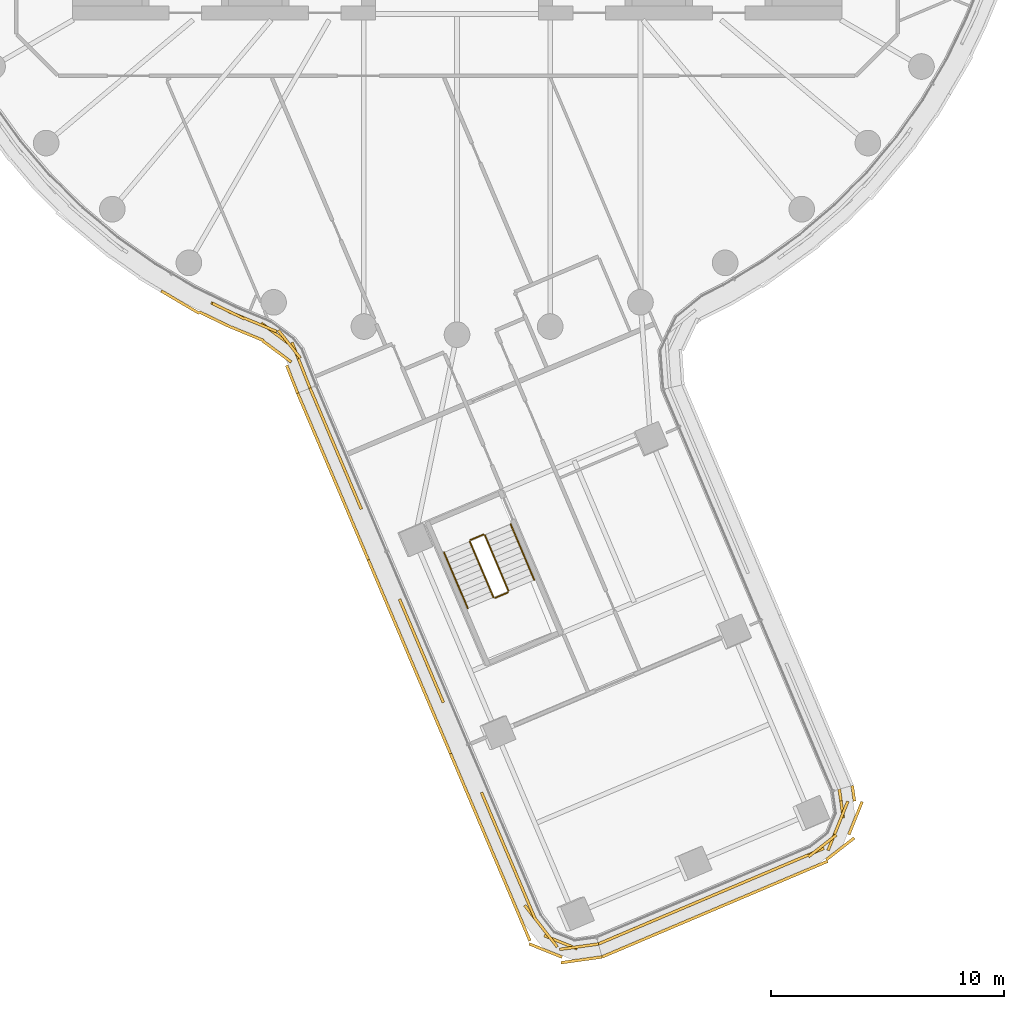
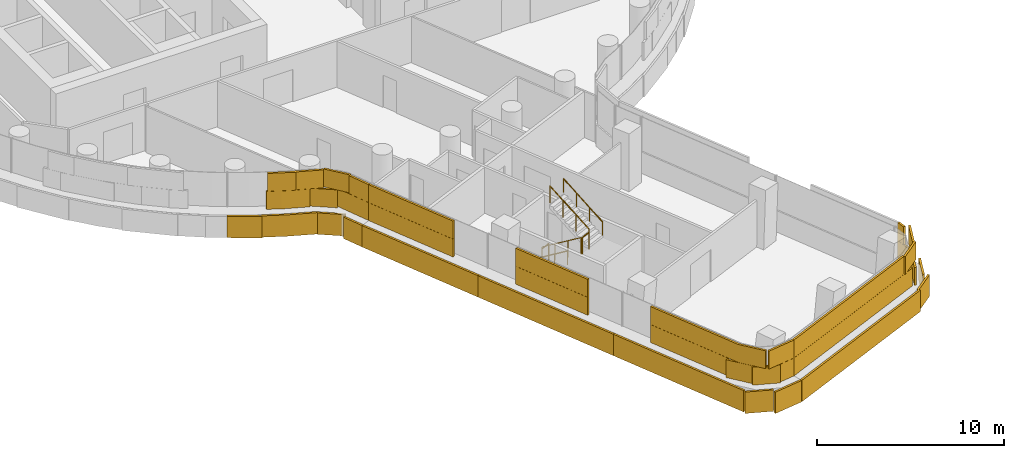
# One storey, part 28 of 35: 6 railings, 5 coverings.
"""IFC4 building model written with IfcOpenShell, lengths in metres."""

import ifcopenshell
import ifcopenshell.guid

model = None  # the IFC model being written
_history = None  # IfcOwnerHistory: only IFC2X3 demands one
_inside = {}  # id of a spatial element -> (the spatial element, [elements in it])
_under = {}  # id of a project, library or spatial element -> (it, [spatial elements below it])
_declared = {}  # id of a project -> (the project, [libraries it declares])
_typed = {}  # id of a type object -> (the type object, [elements of that type])
_made_of = {}  # id of a material, layer set ... -> (it, [elements and type objects made of it])


def new_model(schema):
    """Start an empty IFC model of exactly this schema.

    Asked for "IFC4X3", IfcOpenShell would pick the latest addendum, in which some entities
    have other attributes; the version numbers below select the first issue.
    IFC2X3 requires an IfcOwnerHistory on every rooted entity: one is made here for all.
    """
    global model, _history
    if schema == "IFC4X3":
        model = ifcopenshell.file(schema_version=(4, 3, 0, 0))
    else:
        model = ifcopenshell.file(schema=schema)
    _inside.clear()
    _under.clear()
    _declared.clear()
    _typed.clear()
    _made_of.clear()
    _history = None
    if model.schema == "IFC2X3":
        org = make("IfcOrganization", Name="unknown")
        user = make(
            "IfcPersonAndOrganization",
            ThePerson=make("IfcPerson", FamilyName="unknown"),
            TheOrganization=org,
        )
        app = make(
            "IfcApplication",
            ApplicationDeveloper=org,
            Version="unknown",
            ApplicationFullName="unknown",
            ApplicationIdentifier="unknown",
        )
        _history = make(
            "IfcOwnerHistory",
            OwningUser=user,
            OwningApplication=app,
            ChangeAction="ADDED",
            CreationDate=0,
        )
    return model


def make(cls, **values):
    """One entity of the class cls with the attributes given. An attribute that is None is left unset."""
    return model.create_entity(
        cls, **{name: value for name, value in values.items() if value is not None}
    )


def rooted(cls, **values):
    """An entity with a GlobalId (a new one), such as an element, a storey or a relation."""
    return make(cls, GlobalId=ifcopenshell.guid.new(), OwnerHistory=_history, **values)


def si_unit(unit_type, name, prefix=None):
    """IfcSIUnit, for example si_unit("LENGTHUNIT", "METRE", prefix="MILLI")."""
    return make("IfcSIUnit", UnitType=unit_type, Prefix=prefix, Name=name)


def assignment(units):
    """IfcUnitAssignment: the units of a project."""
    return None if units is None else make("IfcUnitAssignment", Units=units)


def point(xyz):
    """IfcCartesianPoint."""
    return None if xyz is None else make("IfcCartesianPoint", Coordinates=xyz)


def direction(xyz):
    """IfcDirection."""
    return None if xyz is None else make("IfcDirection", DirectionRatios=xyz)


def frame(location, z_axis=None, x_axis=None):
    """IfcAxis2Placement3D, a coordinate frame: its origin and axes. An axis left out is left unset."""
    return make(
        "IfcAxis2Placement3D",
        Location=point(location),
        Axis=direction(z_axis),
        RefDirection=direction(x_axis),
    )


def frame_2d(location, x_axis=None):
    """IfcAxis2Placement2D, a coordinate frame in the plane: its origin and x axis."""
    return make(
        "IfcAxis2Placement2D", Location=point(location), RefDirection=direction(x_axis)
    )


def origin():
    """The frame at (0, 0, 0) with its axes left unset."""
    return frame((0.0, 0.0, 0.0))


def origin_2d():
    """The frame at (0, 0) in the plane with its x axis left unset."""
    return frame_2d((0.0, 0.0))


def place(relative_to, where):
    """IfcLocalPlacement: puts the frame where relative to a parent placement (None: the world)."""
    return make(
        "IfcLocalPlacement", PlacementRelTo=relative_to, RelativePlacement=where
    )


def context(
    kind, dimensions, precision=None, world=None, true_north=None, identifier=None
):
    """IfcGeometricRepresentationContext, for example the 3D "Model" context."""
    return make(
        "IfcGeometricRepresentationContext",
        ContextIdentifier=identifier,
        ContextType=kind,
        CoordinateSpaceDimension=dimensions,
        Precision=precision,
        WorldCoordinateSystem=world,
        TrueNorth=true_north,
    )


def subcontext(parent, identifier, kind, view, scale=None):
    """IfcGeometricRepresentationSubContext, for example "Body" below "Model"."""
    return make(
        "IfcGeometricRepresentationSubContext",
        ContextIdentifier=identifier,
        ContextType=kind,
        ParentContext=parent,
        TargetScale=scale,
        TargetView=view,
    )


def project(units=None, contexts=None):
    """IfcProject with its units and contexts."""
    return rooted(
        "IfcProject",
        Name="project",
        RepresentationContexts=contexts,
        UnitsInContext=assignment(units),
    )


def spatial(cls, under=None, at=None, **own):
    """A site, building, storey or space (cls), placed at a placement, below another one or the project."""
    s = rooted(cls, ObjectPlacement=at, **own)
    if under is not None:
        _under.setdefault(under.id(), (under, []))[1].append(s)
    return s


def profile(cls, at=None, kind="AREA", **sizes):
    """A parametric profile (cls). Its sizes go by their IFC names, for example OverallWidth=200.0."""
    return make(cls, ProfileType=kind, Position=at, **sizes)


def rectangle(**sizes):
    """IfcRectangleProfileDef."""
    return profile("IfcRectangleProfileDef", **sizes)


def circle(**sizes):
    """IfcCircleProfileDef."""
    return profile("IfcCircleProfileDef", **sizes)


def extrude(swept, where, along, depth):
    """IfcExtrudedAreaSolid: the profile swept, set in the frame where, extruded along a direction by depth."""
    return make(
        "IfcExtrudedAreaSolid",
        SweptArea=swept,
        Position=where,
        ExtrudedDirection=direction(along),
        Depth=depth,
    )


def shape(context_of_items, identifier, shape_type, items):
    """IfcShapeRepresentation: the items that make up one representation, for example the "Body"."""
    return make(
        "IfcShapeRepresentation",
        ContextOfItems=context_of_items,
        RepresentationIdentifier=identifier,
        RepresentationType=shape_type,
        Items=items,
    )


def material(Name=None, Category=None):
    """IfcMaterial."""
    return make("IfcMaterial", Name=Name, Category=Category)


def layer(
    of_material, thickness, ventilated=None, Name=None, Category=None, Priority=None
):
    """IfcMaterialLayer: one layer of a wall or slab, of a material (None: an air gap)."""
    return make(
        "IfcMaterialLayer",
        Material=of_material,
        LayerThickness=thickness,
        IsVentilated=ventilated,
        Name=Name,
        Category=Category,
        Priority=Priority,
    )


def layer_set(layers, Name=None):
    """IfcMaterialLayerSet."""
    return make("IfcMaterialLayerSet", MaterialLayers=layers, LayerSetName=Name)


def made_of(thing, what):
    """Note that an element or type object is made of a material, layer set ...; save() writes the relation."""
    if what is not None:
        _made_of.setdefault(what.id(), (what, []))[1].append(thing)
    return thing


def type_object(cls, material=None, **own):
    """A type object (cls), such as IfcWallType, which elements share."""
    return made_of(rooted(cls, **own), material)


def element(
    cls,
    number,
    at=None,
    inside=None,
    cuts=None,
    type_object=None,
    material=None,
    context=None,
    identifier="Body",
    shape_type=None,
    held_by="IfcProductDefinitionShape",
    body=None,
    shapes=None,
    **own,
):
    """One element of the class cls, such as IfcWall. Its Tag is "e" and its number.

    at: its placement. inside: the storey or other place that contains it. cuts: it is an
    opening in that element (IfcRelVoidsElement). A single representation is given by context,
    identifier, shape_type and body (its items); several are given by shapes. held_by: the class
    of the entity that holds the representations. save() writes the other relations.
    """
    e = rooted(cls, Tag="e%d" % number, ObjectPlacement=at, **own)
    if body is not None:
        shapes = [shape(context, identifier, shape_type, body)]
    if shapes is not None:
        e.Representation = make(held_by, Representations=shapes)
    if inside is not None:
        _inside.setdefault(inside.id(), (inside, []))[1].append(e)
    if cuts is not None:
        rooted(
            "IfcRelVoidsElement", RelatingBuildingElement=cuts, RelatedOpeningElement=e
        )
    if type_object is not None:
        _typed.setdefault(type_object.id(), (type_object, []))[1].append(e)
    return made_of(e, material)


def aggregate(whole, parts):
    """IfcRelAggregates: a whole, such as a stair, and the parts it consists of."""
    return rooted("IfcRelAggregates", RelatingObject=whole, RelatedObjects=parts)


def save(model, path):
    """Write the relations noted so far, then the file.

    IfcRelAggregates (storeys below a building ...), IfcRelContainedInSpatialStructure (elements
    in a storey), IfcRelDefinesByType, IfcRelAssociatesMaterial and IfcRelDeclares: one each for
    every whole, place, type object, material and project.
    """
    for whole, parts in _under.values():
        aggregate(whole, parts)
    for where, things in _inside.values():
        rooted(
            "IfcRelContainedInSpatialStructure",
            RelatedElements=things,
            RelatingStructure=where,
        )
    for kind, things in _typed.values():
        rooted("IfcRelDefinesByType", RelatedObjects=things, RelatingType=kind)
    for what, things in _made_of.values():
        rooted("IfcRelAssociatesMaterial", RelatedObjects=things, RelatingMaterial=what)
    for by, libraries in _declared.values():
        rooted("IfcRelDeclares", RelatingContext=by, RelatedDefinitions=libraries)
    model.write(path)


model = new_model("IFC4")

# Units and contexts
model_context = context("Model", 3, precision=1e-05, world=origin(), true_north=direction((0.0, 1.0)))
body_context = subcontext(model_context, "Body", "Model", "MODEL_VIEW")
ifc_project = project(units=[si_unit("LENGTHUNIT", "METRE"), si_unit("AREAUNIT", "SQUARE_METRE"), si_unit("VOLUMEUNIT", "CUBIC_METRE"), si_unit("PLANEANGLEUNIT", "RADIAN"), si_unit("MASSUNIT", "GRAM", prefix="KILO")], contexts=[model_context])

# Site, building, storey
site_placement = place(None, origin())
site = spatial("IfcSite", under=ifc_project, at=site_placement, CompositionType="ELEMENT")
building_placement = place(site_placement, origin())
building = spatial("IfcBuilding", under=site, at=building_placement, Name="Tamarind Cross Interchange Tower", CompositionType="ELEMENT")
storey_placement = place(building_placement, frame((0.0, 0.0, 117.25)))
storey = spatial("IfcBuildingStorey", under=building, at=storey_placement, Name="L28", CompositionType="ELEMENT", Elevation=117.25)

# Railings
ifc_material_1 = material(Name="Stair guard")
railing_type_1 = type_object("IfcRailingType", Name="Stair guard", PredefinedType="GUARDRAIL", material=ifc_material_1)
railing_1_placement = place(storey_placement, frame((0.547607421875, -31.869873046875, 0.17041015625)))
element("IfcRailing", 1, at=railing_1_placement, inside=storey, type_object=railing_type_1, Name="L28 ST6 stair guard 1", PredefinedType="GUARDRAIL", context=body_context, shape_type="SweptSolid", body=[
    extrude(circle(Radius=0.02392578125, at=origin_2d()), frame((0.0, 0.0, 1.076171875), z_axis=(0.326596606657, -0.769885340625, 0.548280237479), x_axis=(0.920590988888, 0.390528143899, 0.0)), (0.0, 0.0, 1.0), 3.10888671875),
    extrude(circle(Radius=0.02099609375, at=origin_2d()), origin(), (0.0, 0.0, 1.0), 1.052001953125),
    extrude(circle(Radius=0.02099609375, at=origin_2d()), frame((0.33837890625, -0.7978515625, 0.568115234375)), (0.0, 0.0, 1.0), 1.052001953125),
    extrude(circle(Radius=0.02099609375, at=origin_2d()), frame((0.677001953125, -1.595703125, 1.136474609375)), (0.0, 0.0, 1.0), 1.052001953125),
    extrude(circle(Radius=0.02099609375, at=origin_2d()), frame((1.015380859375, -2.3935546875, 1.70458984375)), (0.0, 0.0, 1.0), 1.052001953125),
])
railing_2_placement = place(storey_placement, frame((1.62841796875, -34.289794921875, 1.875)))
element("IfcRailing", 2, at=railing_2_placement, inside=storey, type_object=railing_type_1, Name="L28 ST6 stair guard 2", PredefinedType="GUARDRAIL", context=body_context, shape_type="SweptSolid", body=[
    extrude(circle(Radius=0.02392578125, at=origin_2d()), frame((0.0, 0.0, 1.076171875), z_axis=(0.920736856431, 0.390184111939, 0.0), x_axis=(-0.390184111939, 0.920736856431, 0.0)), (0.0, 0.0, 1.0), 0.60009765625),
    extrude(circle(Radius=0.02099609375, at=origin_2d()), origin(), (0.0, 0.0, 1.0), 1.052001953125),
    extrude(circle(Radius=0.02099609375, at=origin_2d()), frame((0.552490234375, 0.234130859375, 0.0)), (0.0, 0.0, 1.0), 1.052001953125),
])
railing_3_placement = place(storey_placement, frame((2.207275390625, -33.989990234375, 2.04541015625)))
element("IfcRailing", 3, at=railing_3_placement, inside=storey, type_object=railing_type_1, Name="L28 ST6 stair guard 3", PredefinedType="GUARDRAIL", context=body_context, shape_type="SweptSolid", body=[
    extrude(circle(Radius=0.02392578125, at=origin_2d()), frame((0.0, 0.0, 1.076171875), z_axis=(-0.326526452463, 0.769905084162, 0.548294298003), x_axis=(-0.920624745135, -0.390448560819, 0.0)), (0.0, 0.0, 1.0), 3.10888671875),
    extrude(circle(Radius=0.02099609375, at=origin_2d()), origin(), (0.0, 0.0, 1.0), 1.052001953125),
    extrude(circle(Radius=0.02099609375, at=origin_2d()), frame((-0.33837890625, 0.7978515625, 0.568115234375)), (0.0, 0.0, 1.0), 1.052001953125),
    extrude(circle(Radius=0.02099609375, at=origin_2d()), frame((-0.6767578125, 1.595703125, 1.136474609375)), (0.0, 0.0, 1.0), 1.052001953125),
    extrude(circle(Radius=0.02099609375, at=origin_2d()), frame((-1.01513671875, 2.3935546875, 1.70458984375)), (0.0, 0.0, 1.0), 1.052001953125),
])
railing_4_placement = place(storey_placement, frame((0.57421875, -31.80419921875, 0.0)))
element("IfcRailing", 4, at=railing_4_placement, inside=storey, type_object=railing_type_1, Name="L28 ST6 stair guard 4", PredefinedType="GUARDRAIL", context=body_context, shape_type="SweptSolid", body=[
    extrude(circle(Radius=0.02392578125, at=origin_2d()), frame((0.0, 0.0, 1.076171875), z_axis=(0.920528568532, 0.390675254549, 0.0), x_axis=(-0.390675254549, 0.920528568532, 0.0)), (0.0, 0.0, 1.0), 0.599853515625),
    extrude(circle(Radius=0.02099609375, at=origin_2d()), origin(), (0.0, 0.0, 1.0), 1.052001953125),
    extrude(circle(Radius=0.02099609375, at=origin_2d()), frame((0.55224609375, 0.234375, 0.0)), (0.0, 0.0, 1.0), 1.052001953125),
])
ifc_material_2 = material(Name="Stair handrail")
railing_type_2 = type_object("IfcRailingType", Name="Stair handrail", PredefinedType="HANDRAIL", material=ifc_material_2)
railing_5_placement = place(storey_placement, frame((-0.55712890625, -32.33837890625, 0.17041015625)))
element("IfcRailing", 5, at=railing_5_placement, inside=storey, type_object=railing_type_2, Name="L28 ST6 stair handrail 1", PredefinedType="HANDRAIL", context=body_context, shape_type="SweptSolid", body=[
    extrude(circle(Radius=0.02392578125, at=origin_2d()), frame((0.0, 0.0, 0.8759765625), z_axis=(0.326596606657, -0.769885340625, 0.548280237479), x_axis=(0.920590988888, 0.390528143899, 0.0)), (0.0, 0.0, 1.0), 3.10888671875),
    extrude(circle(Radius=0.02099609375, at=origin_2d()), origin(), (0.0, 0.0, 1.0), 0.851806640625),
    extrude(circle(Radius=0.02099609375, at=origin_2d()), frame((0.33837890625, -0.7978515625, 0.568115234375)), (0.0, 0.0, 1.0), 0.851806640625),
    extrude(circle(Radius=0.02099609375, at=origin_2d()), frame((0.677001953125, -1.595703125, 1.136474609375)), (0.0, 0.0, 1.0), 0.851806640625),
    extrude(circle(Radius=0.02099609375, at=origin_2d()), frame((1.015380859375, -2.3935546875, 1.70458984375)), (0.0, 0.0, 1.0), 0.851806640625),
])
railing_6_placement = place(storey_placement, frame((3.31201171875, -33.521484375, 2.04541015625)))
element("IfcRailing", 6, at=railing_6_placement, inside=storey, type_object=railing_type_2, Name="L28 ST6 stair handrail 2", PredefinedType="HANDRAIL", context=body_context, shape_type="SweptSolid", body=[
    extrude(circle(Radius=0.02392578125, at=origin_2d()), frame((0.0, 0.0, 0.8759765625), z_axis=(-0.326526452463, 0.769905084162, 0.548294298003), x_axis=(-0.920624745135, -0.390448560819, 0.0)), (0.0, 0.0, 1.0), 3.10888671875),
    extrude(circle(Radius=0.02099609375, at=origin_2d()), origin(), (0.0, 0.0, 1.0), 0.851806640625),
    extrude(circle(Radius=0.02099609375, at=origin_2d()), frame((-0.33837890625, 0.7978515625, 0.568115234375)), (0.0, 0.0, 1.0), 0.851806640625),
    extrude(circle(Radius=0.02099609375, at=origin_2d()), frame((-0.6767578125, 1.595703125, 1.136474609375)), (0.0, 0.0, 1.0), 0.851806640625),
    extrude(circle(Radius=0.02099609375, at=origin_2d()), frame((-1.01513671875, 2.3935546875, 1.70458984375)), (0.0, 0.0, 1.0), 0.851806640625),
])

# Coverings
ifc_material_3 = material(Name="Terracotta", Category="masonry")
ifc_layer = layer(ifc_material_3, 0.1201171875)
ifc_layer_set = layer_set([ifc_layer], Name="Terracotta")
covering_type = type_object("IfcCoveringType", Name="Terracotta baguette screen unit", PredefinedType="MOLDING", material=ifc_layer_set)
covering_1_placement = place(storey_placement, origin())
element("IfcCovering", 7, at=covering_1_placement, inside=storey, type_object=covering_type, Name="SCR-L28-02-01", PredefinedType="MOLDING", context=body_context, shape_type="SweptSolid", body=[
    extrude(rectangle(XDim=0.824462890625, YDim=0.1201171875, at=origin_2d()), frame((-10.176513671875, -21.810546875, 1.404052734375), z_axis=(0.0, 0.0, 1.0), x_axis=(0.900272776334, -0.435326231914, 0.0)), (0.0, 0.0, 1.0), 1.1669921875),
    extrude(rectangle(XDim=1.52001953125, YDim=0.1201171875, at=origin_2d()), frame((-9.123291015625, -22.288818359375, 1.404052734375), z_axis=(0.0, 0.0, 1.0), x_axis=(0.92336203515, -0.383930399999, 0.0)), (0.0, 0.0, 1.0), 1.1669921875),
    extrude(rectangle(XDim=1.52001953125, YDim=0.1201171875, at=origin_2d()), frame((-7.789306640625, -22.954833984375, 1.404052734375), z_axis=(0.0, 0.0, 1.0), x_axis=(0.803956075829, -0.594688681697, 0.0)), (0.0, 0.0, 1.0), 1.1669921875),
    extrude(rectangle(XDim=1.52001953125, YDim=0.1201171875, at=origin_2d()), frame((-6.800048828125, -24.037109375, 1.404052734375), z_axis=(0.0, 0.0, 1.0), x_axis=(0.366900110784, -0.930260344584, 0.0)), (0.0, 0.0, 1.0), 1.1669921875),
    extrude(rectangle(XDim=0.610595703125, YDim=0.1201171875, at=origin_2d()), frame((-6.41455078125, -25.01416015625, 1.404052734375), z_axis=(0.0, 0.0, 1.0), x_axis=(0.366900110784, -0.930260344584, 0.0)), (0.0, 0.0, 1.0), 1.1669921875),
    extrude(rectangle(XDim=1.52001953125, YDim=0.1201171875, at=origin_2d()), frame((-9.809814453125, -21.98779296875, 2.5791015625), z_axis=(0.0, 0.0, 1.0), x_axis=(0.900272776334, -0.435326231914, 0.0)), (0.0, 0.0, 1.0), 1.1669921875),
    extrude(rectangle(XDim=1.52001953125, YDim=0.1201171875, at=origin_2d()), frame((-8.4306640625, -22.57666015625, 2.5791015625), z_axis=(0.0, 0.0, 1.0), x_axis=(0.92336203515, -0.383930399999, 0.0)), (0.0, 0.0, 1.0), 1.1669921875),
    extrude(rectangle(XDim=1.52001953125, YDim=0.1201171875, at=origin_2d()), frame((-7.191650390625, -23.406494140625, 2.5791015625), z_axis=(0.0, 0.0, 1.0), x_axis=(0.620257011752, -0.784398648248, 0.0)), (0.0, 0.0, 1.0), 1.1669921875),
    extrude(rectangle(XDim=1.360595703125, YDim=0.1201171875, at=origin_2d()), frame((-6.55224609375, -24.665283203125, 2.5791015625), z_axis=(0.0, 0.0, 1.0), x_axis=(0.366900110784, -0.930260344584, 0.0)), (0.0, 0.0, 1.0), 1.1669921875),
    extrude(rectangle(XDim=0.382080078125, YDim=0.1201171875, at=origin_2d()), frame((-12.5185546875, -21.222412109375, 0.00390625), z_axis=(0.0, 0.0, 1.0), x_axis=(0.861248933065, -0.508183308752, 0.0)), (0.0, 0.0, 1.0), 1.39208984375),
    extrude(rectangle(XDim=1.52001953125, YDim=0.1201171875, at=origin_2d()), frame((-11.716796875, -21.695556640625, 0.00390625), z_axis=(0.0, 0.0, 1.0), x_axis=(0.861248933065, -0.508183308752, 0.0)), (0.0, 0.0, 1.0), 1.39208984375),
    extrude(rectangle(XDim=1.52001953125, YDim=0.1201171875, at=origin_2d()), frame((-10.36962890625, -22.354736328125, 0.00390625), z_axis=(0.0, 0.0, 1.0), x_axis=(0.900272776334, -0.435326231914, 0.0)), (0.0, 0.0, 1.0), 1.39208984375),
    extrude(rectangle(XDim=1.52001953125, YDim=0.1201171875, at=origin_2d()), frame((-8.998779296875, -22.962158203125, 0.00390625), z_axis=(0.0, 0.0, 1.0), x_axis=(0.92336203515, -0.383930399999, 0.0)), (0.0, 0.0, 1.0), 1.39208984375),
    extrude(rectangle(XDim=1.52001953125, YDim=0.1201171875, at=origin_2d()), frame((-7.7177734375, -23.7216796875, 0.00390625), z_axis=(0.0, 0.0, 1.0), x_axis=(0.803956075829, -0.594688681697, 0.0)), (0.0, 0.0, 1.0), 1.39208984375),
    extrude(rectangle(XDim=1.281982421875, YDim=0.1201171875, at=origin_2d()), frame((-7.071044921875, -24.91455078125, 0.00390625), z_axis=(0.0, 0.0, 1.0), x_axis=(0.366900110784, -0.930260344584, 0.0)), (0.0, 0.0, 1.0), 1.39208984375),
])
covering_2_placement = place(storey_placement, origin())
element("IfcCovering", 8, at=covering_2_placement, inside=storey, type_object=covering_type, Name="SCR-L28-03-00", PredefinedType="MOLDING", context=body_context, shape_type="SweptSolid", body=[
    extrude(rectangle(XDim=1.510009765625, YDim=0.1201171875, at=origin_2d()), frame((-6.01171875, -25.98388671875, 1.404052734375), z_axis=(0.0, 0.0, 1.0), x_axis=(0.390499768049, -0.920603025823, 0.0)), (0.0, 0.0, 1.0), 1.1669921875),
    extrude(rectangle(XDim=1.52001953125, YDim=0.1201171875, at=origin_2d()), frame((-5.42578125, -27.36474609375, 1.404052734375), z_axis=(0.0, 0.0, 1.0), x_axis=(0.390499768049, -0.920603025823, 0.0)), (0.0, 0.0, 1.0), 1.1669921875),
    extrude(rectangle(XDim=1.52001953125, YDim=0.1201171875, at=origin_2d()), frame((-4.840087890625, -28.74560546875, 1.404052734375), z_axis=(0.0, 0.0, 1.0), x_axis=(0.390499768049, -0.920603025823, 0.0)), (0.0, 0.0, 1.0), 1.1669921875),
    extrude(rectangle(XDim=1.142822265625, YDim=0.1201171875, at=origin_2d()), frame((-4.325927734375, -29.95751953125, 1.404052734375), z_axis=(0.0, 0.0, 1.0), x_axis=(0.390499768049, -0.920603025823, 0.0)), (0.0, 0.0, 1.0), 1.1669921875),
    extrude(rectangle(XDim=0.760009765625, YDim=0.1201171875, at=origin_2d()), frame((-6.157958984375, -25.638671875, 2.5791015625), z_axis=(0.0, 0.0, 1.0), x_axis=(0.390499768049, -0.920603025823, 0.0)), (0.0, 0.0, 1.0), 1.1669921875),
    extrude(rectangle(XDim=1.52001953125, YDim=0.1201171875, at=origin_2d()), frame((-5.71875, -26.67431640625, 2.5791015625), z_axis=(0.0, 0.0, 1.0), x_axis=(0.390499768049, -0.920603025823, 0.0)), (0.0, 0.0, 1.0), 1.1669921875),
    extrude(rectangle(XDim=1.52001953125, YDim=0.1201171875, at=origin_2d()), frame((-5.133056640625, -28.05517578125, 2.5791015625), z_axis=(0.0, 0.0, 1.0), x_axis=(0.390499768049, -0.920603025823, 0.0)), (0.0, 0.0, 1.0), 1.1669921875),
    extrude(rectangle(XDim=1.52001953125, YDim=0.1201171875, at=origin_2d()), frame((-4.547119140625, -29.43603515625, 2.5791015625), z_axis=(0.0, 0.0, 1.0), x_axis=(0.390499768049, -0.920603025823, 0.0)), (0.0, 0.0, 1.0), 1.1669921875),
    extrude(rectangle(XDim=0.392822265625, YDim=0.1201171875, at=origin_2d()), frame((-4.1796875, -30.302734375, 2.5791015625), z_axis=(0.0, 0.0, 1.0), x_axis=(0.390499768049, -0.920603025823, 0.0)), (0.0, 0.0, 1.0), 1.1669921875),
    extrude(rectangle(XDim=1.510009765625, YDim=0.1201171875, at=origin_2d()), frame((-6.541015625, -26.205810546875, 0.00390625), z_axis=(0.0, 0.0, 1.0), x_axis=(0.390499768049, -0.920603025823, 0.0)), (0.0, 0.0, 1.0), 1.39208984375),
    extrude(rectangle(XDim=1.52001953125, YDim=0.1201171875, at=origin_2d()), frame((-5.95703125, -27.582275390625, 0.00390625), z_axis=(0.0, 0.0, 1.0), x_axis=(0.390499768049, -0.920603025823, 0.0)), (0.0, 0.0, 1.0), 1.39208984375),
    extrude(rectangle(XDim=1.52001953125, YDim=0.1201171875, at=origin_2d()), frame((-5.371337890625, -28.963134765625, 0.00390625), z_axis=(0.0, 0.0, 1.0), x_axis=(0.390499768049, -0.920603025823, 0.0)), (0.0, 0.0, 1.0), 1.39208984375),
    extrude(rectangle(XDim=1.52001953125, YDim=0.1201171875, at=origin_2d()), frame((-4.78564453125, -30.343994140625, 0.00390625), z_axis=(0.0, 0.0, 1.0), x_axis=(0.390499768049, -0.920603025823, 0.0)), (0.0, 0.0, 1.0), 1.39208984375),
    extrude(rectangle(XDim=1.52001953125, YDim=0.1201171875, at=origin_2d()), frame((-4.199951171875, -31.724853515625, 0.00390625), z_axis=(0.0, 0.0, 1.0), x_axis=(0.390499768049, -0.920603025823, 0.0)), (0.0, 0.0, 1.0), 1.39208984375),
    extrude(rectangle(XDim=0.268798828125, YDim=0.1201171875, at=origin_2d()), frame((-3.8583984375, -32.52978515625, 0.00390625), z_axis=(0.0, 0.0, 1.0), x_axis=(0.390499768049, -0.920603025823, 0.0)), (0.0, 0.0, 1.0), 1.39208984375),
])
covering_3_placement = place(storey_placement, origin())
element("IfcCovering", 9, at=covering_3_placement, inside=storey, type_object=covering_type, Name="SCR-L28-03-01", PredefinedType="MOLDING", context=body_context, shape_type="SweptSolid", body=[
    extrude(rectangle(XDim=0.67724609375, YDim=0.1201171875, at=origin_2d()), frame((-2.33447265625, -34.652587890625, 1.404052734375), z_axis=(0.0, 0.0, 1.0), x_axis=(0.390499768049, -0.920603025823, 0.0)), (0.0, 0.0, 1.0), 1.1669921875),
    extrude(rectangle(XDim=1.52001953125, YDim=0.1201171875, at=origin_2d()), frame((-1.911376953125, -35.650146484375, 1.404052734375), z_axis=(0.0, 0.0, 1.0), x_axis=(0.390499768049, -0.920603025823, 0.0)), (0.0, 0.0, 1.0), 1.1669921875),
    extrude(rectangle(XDim=1.52001953125, YDim=0.1201171875, at=origin_2d()), frame((-1.32568359375, -37.031005859375, 1.404052734375), z_axis=(0.0, 0.0, 1.0), x_axis=(0.390499768049, -0.920603025823, 0.0)), (0.0, 0.0, 1.0), 1.1669921875),
    extrude(rectangle(XDim=1.147705078125, YDim=0.1201171875, at=origin_2d()), frame((-0.810546875, -38.2451171875, 1.404052734375), z_axis=(0.0, 0.0, 1.0), x_axis=(0.390499768049, -0.920603025823, 0.0)), (0.0, 0.0, 1.0), 1.1669921875),
    extrude(rectangle(XDim=1.42724609375, YDim=0.1201171875, at=origin_2d()), frame((-2.18798828125, -34.997802734375, 2.5791015625), z_axis=(0.0, 0.0, 1.0), x_axis=(0.390499768049, -0.920603025823, 0.0)), (0.0, 0.0, 1.0), 1.1669921875),
    extrude(rectangle(XDim=1.52001953125, YDim=0.1201171875, at=origin_2d()), frame((-1.618408203125, -36.340576171875, 2.5791015625), z_axis=(0.0, 0.0, 1.0), x_axis=(0.390499768049, -0.920603025823, 0.0)), (0.0, 0.0, 1.0), 1.1669921875),
    extrude(rectangle(XDim=1.52001953125, YDim=0.1201171875, at=origin_2d()), frame((-1.03271484375, -37.721435546875, 2.5791015625), z_axis=(0.0, 0.0, 1.0), x_axis=(0.390499768049, -0.920603025823, 0.0)), (0.0, 0.0, 1.0), 1.1669921875),
    extrude(rectangle(XDim=0.397705078125, YDim=0.1201171875, at=origin_2d()), frame((-0.6640625, -38.59033203125, 2.5791015625), z_axis=(0.0, 0.0, 1.0), x_axis=(0.390499768049, -0.920603025823, 0.0)), (0.0, 0.0, 1.0), 1.1669921875),
    extrude(rectangle(XDim=1.251220703125, YDim=0.1201171875, at=origin_2d()), frame((-3.561767578125, -33.2294921875, 0.00390625), z_axis=(0.0, 0.0, 1.0), x_axis=(0.390499768049, -0.920603025823, 0.0)), (0.0, 0.0, 1.0), 1.39208984375),
    extrude(rectangle(XDim=1.52001953125, YDim=0.1201171875, at=origin_2d()), frame((-3.0283203125, -34.48681640625, 0.00390625), z_axis=(0.0, 0.0, 1.0), x_axis=(0.390499768049, -0.920603025823, 0.0)), (0.0, 0.0, 1.0), 1.39208984375),
    extrude(rectangle(XDim=1.52001953125, YDim=0.1201171875, at=origin_2d()), frame((-2.442626953125, -35.86767578125, 0.00390625), z_axis=(0.0, 0.0, 1.0), x_axis=(0.390499768049, -0.920603025823, 0.0)), (0.0, 0.0, 1.0), 1.39208984375),
    extrude(rectangle(XDim=1.52001953125, YDim=0.1201171875, at=origin_2d()), frame((-1.85693359375, -37.24853515625, 0.00390625), z_axis=(0.0, 0.0, 1.0), x_axis=(0.390499768049, -0.920603025823, 0.0)), (0.0, 0.0, 1.0), 1.39208984375),
    extrude(rectangle(XDim=1.52001953125, YDim=0.1201171875, at=origin_2d()), frame((-1.271240234375, -38.62939453125, 0.00390625), z_axis=(0.0, 0.0, 1.0), x_axis=(0.390499768049, -0.920603025823, 0.0)), (0.0, 0.0, 1.0), 1.39208984375),
    extrude(rectangle(XDim=1.52001953125, YDim=0.1201171875, at=origin_2d()), frame((-0.685302734375, -40.01025390625, 0.00390625), z_axis=(0.0, 0.0, 1.0), x_axis=(0.390499768049, -0.920603025823, 0.0)), (0.0, 0.0, 1.0), 1.39208984375),
    extrude(rectangle(XDim=0.3037109375, YDim=0.1201171875, at=origin_2d()), frame((-0.337158203125, -40.831298828125, 0.00390625), z_axis=(0.0, 0.0, 1.0), x_axis=(0.390499768049, -0.920603025823, 0.0)), (0.0, 0.0, 1.0), 1.39208984375),
])
covering_4_placement = place(storey_placement, origin())
element("IfcCovering", 10, at=covering_4_placement, inside=storey, type_object=covering_type, Name="SCR-L28-03-02", PredefinedType="MOLDING", context=body_context, shape_type="SweptSolid", body=[
    extrude(rectangle(XDim=0.67236328125, YDim=0.1201171875, at=origin_2d()), frame((1.180908203125, -42.940185546875, 1.404052734375), z_axis=(0.0, 0.0, 1.0), x_axis=(0.390499768049, -0.920603025823, 0.0)), (0.0, 0.0, 1.0), 1.1669921875),
    extrude(rectangle(XDim=1.52001953125, YDim=0.1201171875, at=origin_2d()), frame((1.60302734375, -43.935546875, 1.404052734375), z_axis=(0.0, 0.0, 1.0), x_axis=(0.390499768049, -0.920603025823, 0.0)), (0.0, 0.0, 1.0), 1.1669921875),
    extrude(rectangle(XDim=1.52001953125, YDim=0.1201171875, at=origin_2d()), frame((2.18896484375, -45.31640625, 1.404052734375), z_axis=(0.0, 0.0, 1.0), x_axis=(0.390499768049, -0.920603025823, 0.0)), (0.0, 0.0, 1.0), 1.1669921875),
    extrude(rectangle(XDim=1.52001953125, YDim=0.1201171875, at=origin_2d()), frame((2.774658203125, -46.697509765625, 1.404052734375), z_axis=(0.0, 0.0, 1.0), x_axis=(0.390499768049, -0.920603025823, 0.0)), (0.0, 0.0, 1.0), 1.1669921875),
    extrude(rectangle(XDim=1.52001953125, YDim=0.1201171875, at=origin_2d()), frame((3.37255859375, -48.071044921875, 1.404052734375), z_axis=(0.0, 0.0, 1.0), x_axis=(0.61546340718, -0.788165461323, 0.0)), (0.0, 0.0, 1.0), 1.1669921875),
    extrude(rectangle(XDim=1.52001953125, YDim=0.1201171875, at=origin_2d()), frame((4.4462890625, -49.0537109375, 1.404052734375), z_axis=(0.0, 0.0, 1.0), x_axis=(0.927089676379, -0.374839608301, 0.0)), (0.0, 0.0, 1.0), 1.1669921875),
    extrude(rectangle(XDim=0.931640625, YDim=0.1201171875, at=origin_2d()), frame((5.607421875, -49.19384765625, 1.404052734375), z_axis=(0.0, 0.0, 1.0), x_axis=(0.990303015481, 0.138924215056, 0.0)), (0.0, 0.0, 1.0), 1.1669921875),
    extrude(rectangle(XDim=1.42236328125, YDim=0.1201171875, at=origin_2d()), frame((1.327392578125, -43.285400390625, 2.5791015625), z_axis=(0.0, 0.0, 1.0), x_axis=(0.390499768049, -0.920603025823, 0.0)), (0.0, 0.0, 1.0), 1.1669921875),
    extrude(rectangle(XDim=1.52001953125, YDim=0.1201171875, at=origin_2d()), frame((1.89599609375, -44.6259765625, 2.5791015625), z_axis=(0.0, 0.0, 1.0), x_axis=(0.390499768049, -0.920603025823, 0.0)), (0.0, 0.0, 1.0), 1.1669921875),
    extrude(rectangle(XDim=1.52001953125, YDim=0.1201171875, at=origin_2d()), frame((2.481689453125, -46.007080078125, 2.5791015625), z_axis=(0.0, 0.0, 1.0), x_axis=(0.390499768049, -0.920603025823, 0.0)), (0.0, 0.0, 1.0), 1.1669921875),
    extrude(rectangle(XDim=1.52001953125, YDim=0.1201171875, at=origin_2d()), frame((3.067626953125, -47.387939453125, 2.5791015625), z_axis=(0.0, 0.0, 1.0), x_axis=(0.390499768049, -0.920603025823, 0.0)), (0.0, 0.0, 1.0), 1.1669921875),
    extrude(rectangle(XDim=1.52001953125, YDim=0.1201171875, at=origin_2d()), frame((3.834228515625, -48.662353515625, 2.5791015625), z_axis=(0.0, 0.0, 1.0), x_axis=(0.61546340718, -0.788165461323, 0.0)), (0.0, 0.0, 1.0), 1.1669921875),
    extrude(rectangle(XDim=1.52001953125, YDim=0.1201171875, at=origin_2d()), frame((5.151123046875, -49.258056640625, 2.5791015625), z_axis=(0.0, 0.0, 1.0), x_axis=(0.990303015481, 0.138924215056, 0.0)), (0.0, 0.0, 1.0), 1.1669921875),
    extrude(rectangle(XDim=0.181640625, YDim=0.1201171875, at=origin_2d()), frame((5.978759765625, -49.141845703125, 2.5791015625), z_axis=(0.0, 0.0, 1.0), x_axis=(0.990303015481, 0.138924215056, 0.0)), (0.0, 0.0, 1.0), 1.1669921875),
    extrude(rectangle(XDim=1.21630859375, YDim=0.1201171875, at=origin_2d()), frame((-0.040283203125, -41.531005859375, 0.00390625), z_axis=(0.0, 0.0, 1.0), x_axis=(0.390499768049, -0.920603025823, 0.0)), (0.0, 0.0, 1.0), 1.39208984375),
    extrude(rectangle(XDim=1.52001953125, YDim=0.1201171875, at=origin_2d()), frame((0.486083984375, -42.772216796875, 0.00390625), z_axis=(0.0, 0.0, 1.0), x_axis=(0.390499768049, -0.920603025823, 0.0)), (0.0, 0.0, 1.0), 1.39208984375),
    extrude(rectangle(XDim=1.52001953125, YDim=0.1201171875, at=origin_2d()), frame((1.07177734375, -44.153076171875, 0.00390625), z_axis=(0.0, 0.0, 1.0), x_axis=(0.390499768049, -0.920603025823, 0.0)), (0.0, 0.0, 1.0), 1.39208984375),
    extrude(rectangle(XDim=1.52001953125, YDim=0.1201171875, at=origin_2d()), frame((1.65771484375, -45.533935546875, 0.00390625), z_axis=(0.0, 0.0, 1.0), x_axis=(0.390499768049, -0.920603025823, 0.0)), (0.0, 0.0, 1.0), 1.39208984375),
    extrude(rectangle(XDim=1.52001953125, YDim=0.1201171875, at=origin_2d()), frame((2.243408203125, -46.914794921875, 0.00390625), z_axis=(0.0, 0.0, 1.0), x_axis=(0.390499768049, -0.920603025823, 0.0)), (0.0, 0.0, 1.0), 1.39208984375),
    extrude(rectangle(XDim=1.52001953125, YDim=0.1201171875, at=origin_2d()), frame((2.8291015625, -48.295654296875, 0.00390625), z_axis=(0.0, 0.0, 1.0), x_axis=(0.390499768049, -0.920603025823, 0.0)), (0.0, 0.0, 1.0), 1.39208984375),
    extrude(rectangle(XDim=1.52001953125, YDim=0.1201171875, at=origin_2d()), frame((3.799072265625, -49.4111328125, 0.00390625), z_axis=(0.0, 0.0, 1.0), x_axis=(0.927089676379, -0.374839608301, 0.0)), (0.0, 0.0, 1.0), 1.39208984375),
    extrude(rectangle(XDim=1.52001953125, YDim=0.1201171875, at=origin_2d()), frame((5.20751953125, -49.82958984375, 0.00390625), z_axis=(0.0, 0.0, 1.0), x_axis=(0.990303015481, 0.138924215056, 0.0)), (0.0, 0.0, 1.0), 1.39208984375),
    extrude(rectangle(XDim=0.28076171875, YDim=0.1201171875, at=origin_2d()), frame((6.079345703125, -49.707275390625, 0.00390625), z_axis=(0.0, 0.0, 1.0), x_axis=(0.990303015481, 0.138924215056, 0.0)), (0.0, 0.0, 1.0), 1.39208984375),
])
covering_5_placement = place(storey_placement, origin())
element("IfcCovering", 11, at=covering_5_placement, inside=storey, type_object=covering_type, Name="SCR-L28-04-00", PredefinedType="MOLDING", context=body_context, shape_type="SweptSolid", body=[
    extrude(rectangle(XDim=1.510009765625, YDim=0.1201171875, at=origin_2d()), frame((6.75439453125, -48.8369140625, 1.404052734375), z_axis=(0.0, 0.0, 1.0), x_axis=(0.920603025823, 0.390499768049, 0.0)), (0.0, 0.0, 1.0), 1.1669921875),
    extrude(rectangle(XDim=1.52001953125, YDim=0.1201171875, at=origin_2d()), frame((8.13525390625, -48.251220703125, 1.404052734375), z_axis=(0.0, 0.0, 1.0), x_axis=(0.920603025823, 0.390499768049, 0.0)), (0.0, 0.0, 1.0), 1.1669921875),
    extrude(rectangle(XDim=1.52001953125, YDim=0.1201171875, at=origin_2d()), frame((9.51611328125, -47.66552734375, 1.404052734375), z_axis=(0.0, 0.0, 1.0), x_axis=(0.920603025823, 0.390499768049, 0.0)), (0.0, 0.0, 1.0), 1.1669921875),
    extrude(rectangle(XDim=1.52001953125, YDim=0.1201171875, at=origin_2d()), frame((10.89697265625, -47.079833984375, 1.404052734375), z_axis=(0.0, 0.0, 1.0), x_axis=(0.920603025823, 0.390499768049, 0.0)), (0.0, 0.0, 1.0), 1.1669921875),
    extrude(rectangle(XDim=1.52001953125, YDim=0.1201171875, at=origin_2d()), frame((12.27783203125, -46.494140625, 1.404052734375), z_axis=(0.0, 0.0, 1.0), x_axis=(0.920603025823, 0.390499768049, 0.0)), (0.0, 0.0, 1.0), 1.1669921875),
    extrude(rectangle(XDim=1.52001953125, YDim=0.1201171875, at=origin_2d()), frame((13.65869140625, -45.908203125, 1.404052734375), z_axis=(0.0, 0.0, 1.0), x_axis=(0.920603025823, 0.390499768049, 0.0)), (0.0, 0.0, 1.0), 1.1669921875),
    extrude(rectangle(XDim=1.52001953125, YDim=0.1201171875, at=origin_2d()), frame((15.039794921875, -45.322509765625, 1.404052734375), z_axis=(0.0, 0.0, 1.0), x_axis=(0.920603025823, 0.390499768049, 0.0)), (0.0, 0.0, 1.0), 1.1669921875),
    extrude(rectangle(XDim=1.52001953125, YDim=0.1201171875, at=origin_2d()), frame((16.194091796875, -44.41259765625, 1.404052734375), z_axis=(0.0, 0.0, 1.0), x_axis=(0.374839608301, 0.927089676379, 0.0)), (0.0, 0.0, 1.0), 1.1669921875),
    extrude(rectangle(XDim=1.259521484375, YDim=0.1201171875, at=origin_2d()), frame((16.480224609375, -43.10986328125, 1.404052734375), z_axis=(0.0, 0.0, 1.0), x_axis=(-0.138924215056, 0.990303015481, 0.0)), (0.0, 0.0, 1.0), 1.1669921875),
    extrude(rectangle(XDim=0.760009765625, YDim=0.1201171875, at=origin_2d()), frame((6.408935546875, -48.9833984375, 2.5791015625), z_axis=(0.0, 0.0, 1.0), x_axis=(0.920603025823, 0.390499768049, 0.0)), (0.0, 0.0, 1.0), 1.1669921875),
    extrude(rectangle(XDim=1.52001953125, YDim=0.1201171875, at=origin_2d()), frame((7.44482421875, -48.544189453125, 2.5791015625), z_axis=(0.0, 0.0, 1.0), x_axis=(0.920603025823, 0.390499768049, 0.0)), (0.0, 0.0, 1.0), 1.1669921875),
    extrude(rectangle(XDim=1.52001953125, YDim=0.1201171875, at=origin_2d()), frame((8.82568359375, -47.95849609375, 2.5791015625), z_axis=(0.0, 0.0, 1.0), x_axis=(0.920603025823, 0.390499768049, 0.0)), (0.0, 0.0, 1.0), 1.1669921875),
    extrude(rectangle(XDim=1.52001953125, YDim=0.1201171875, at=origin_2d()), frame((10.20654296875, -47.37255859375, 2.5791015625), z_axis=(0.0, 0.0, 1.0), x_axis=(0.920603025823, 0.390499768049, 0.0)), (0.0, 0.0, 1.0), 1.1669921875),
    extrude(rectangle(XDim=1.52001953125, YDim=0.1201171875, at=origin_2d()), frame((11.58740234375, -46.786865234375, 2.5791015625), z_axis=(0.0, 0.0, 1.0), x_axis=(0.920603025823, 0.390499768049, 0.0)), (0.0, 0.0, 1.0), 1.1669921875),
    extrude(rectangle(XDim=1.52001953125, YDim=0.1201171875, at=origin_2d()), frame((12.96826171875, -46.201171875, 2.5791015625), z_axis=(0.0, 0.0, 1.0), x_axis=(0.920603025823, 0.390499768049, 0.0)), (0.0, 0.0, 1.0), 1.1669921875),
    extrude(rectangle(XDim=1.52001953125, YDim=0.1201171875, at=origin_2d()), frame((14.349365234375, -45.615478515625, 2.5791015625), z_axis=(0.0, 0.0, 1.0), x_axis=(0.920603025823, 0.390499768049, 0.0)), (0.0, 0.0, 1.0), 1.1669921875),
    extrude(rectangle(XDim=1.52001953125, YDim=0.1201171875, at=origin_2d()), frame((15.6669921875, -44.922607421875, 2.5791015625), z_axis=(0.0, 0.0, 1.0), x_axis=(0.788165461323, 0.61546340718, 0.0)), (0.0, 0.0, 1.0), 1.1669921875),
    extrude(rectangle(XDim=1.52001953125, YDim=0.1201171875, at=origin_2d()), frame((16.475341796875, -43.71728515625, 2.5791015625), z_axis=(0.0, 0.0, 1.0), x_axis=(0.374839608301, 0.927089676379, 0.0)), (0.0, 0.0, 1.0), 1.1669921875),
    extrude(rectangle(XDim=0.509521484375, YDim=0.1201171875, at=origin_2d()), frame((16.427978515625, -42.738525390625, 2.5791015625), z_axis=(0.0, 0.0, 1.0), x_axis=(-0.138924215056, 0.990303015481, 0.0)), (0.0, 0.0, 1.0), 1.1669921875),
    extrude(rectangle(XDim=1.510009765625, YDim=0.1201171875, at=origin_2d()), frame((6.91357421875, -49.39306640625, 0.00390625), z_axis=(0.0, 0.0, 1.0), x_axis=(0.920603025823, 0.390499768049, 0.0)), (0.0, 0.0, 1.0), 1.39208984375),
    extrude(rectangle(XDim=1.52001953125, YDim=0.1201171875, at=origin_2d()), frame((8.289794921875, -48.809326171875, 0.00390625), z_axis=(0.0, 0.0, 1.0), x_axis=(0.920603025823, 0.390499768049, 0.0)), (0.0, 0.0, 1.0), 1.39208984375),
    extrude(rectangle(XDim=1.52001953125, YDim=0.1201171875, at=origin_2d()), frame((9.670654296875, -48.223388671875, 0.00390625), z_axis=(0.0, 0.0, 1.0), x_axis=(0.920603025823, 0.390499768049, 0.0)), (0.0, 0.0, 1.0), 1.39208984375),
    extrude(rectangle(XDim=1.52001953125, YDim=0.1201171875, at=origin_2d()), frame((11.051513671875, -47.6376953125, 0.00390625), z_axis=(0.0, 0.0, 1.0), x_axis=(0.920603025823, 0.390499768049, 0.0)), (0.0, 0.0, 1.0), 1.39208984375),
    extrude(rectangle(XDim=1.52001953125, YDim=0.1201171875, at=origin_2d()), frame((12.432373046875, -47.052001953125, 0.00390625), z_axis=(0.0, 0.0, 1.0), x_axis=(0.920603025823, 0.390499768049, 0.0)), (0.0, 0.0, 1.0), 1.39208984375),
    extrude(rectangle(XDim=1.52001953125, YDim=0.1201171875, at=origin_2d()), frame((13.8134765625, -46.46630859375, 0.00390625), z_axis=(0.0, 0.0, 1.0), x_axis=(0.920603025823, 0.390499768049, 0.0)), (0.0, 0.0, 1.0), 1.39208984375),
    extrude(rectangle(XDim=1.52001953125, YDim=0.1201171875, at=origin_2d()), frame((15.1943359375, -45.88037109375, 0.00390625), z_axis=(0.0, 0.0, 1.0), x_axis=(0.920603025823, 0.390499768049, 0.0)), (0.0, 0.0, 1.0), 1.39208984375),
    extrude(rectangle(XDim=1.52001953125, YDim=0.1201171875, at=origin_2d()), frame((16.432861328125, -45.052734375, 0.00390625), z_axis=(0.0, 0.0, 1.0), x_axis=(0.788165461323, 0.61546340718, 0.0)), (0.0, 0.0, 1.0), 1.39208984375),
    extrude(rectangle(XDim=1.52001953125, YDim=0.1201171875, at=origin_2d()), frame((17.088134765625, -43.732421875, 0.00390625), z_axis=(0.0, 0.0, 1.0), x_axis=(0.374839608301, 0.927089676379, 0.0)), (0.0, 0.0, 1.0), 1.39208984375),
    extrude(rectangle(XDim=0.676513671875, YDim=0.1201171875, at=origin_2d()), frame((16.998291015625, -42.671875, 0.00390625), z_axis=(0.0, 0.0, 1.0), x_axis=(-0.138924215056, 0.990303015481, 0.0)), (0.0, 0.0, 1.0), 1.39208984375),
])

save(model, "model.ifc")
